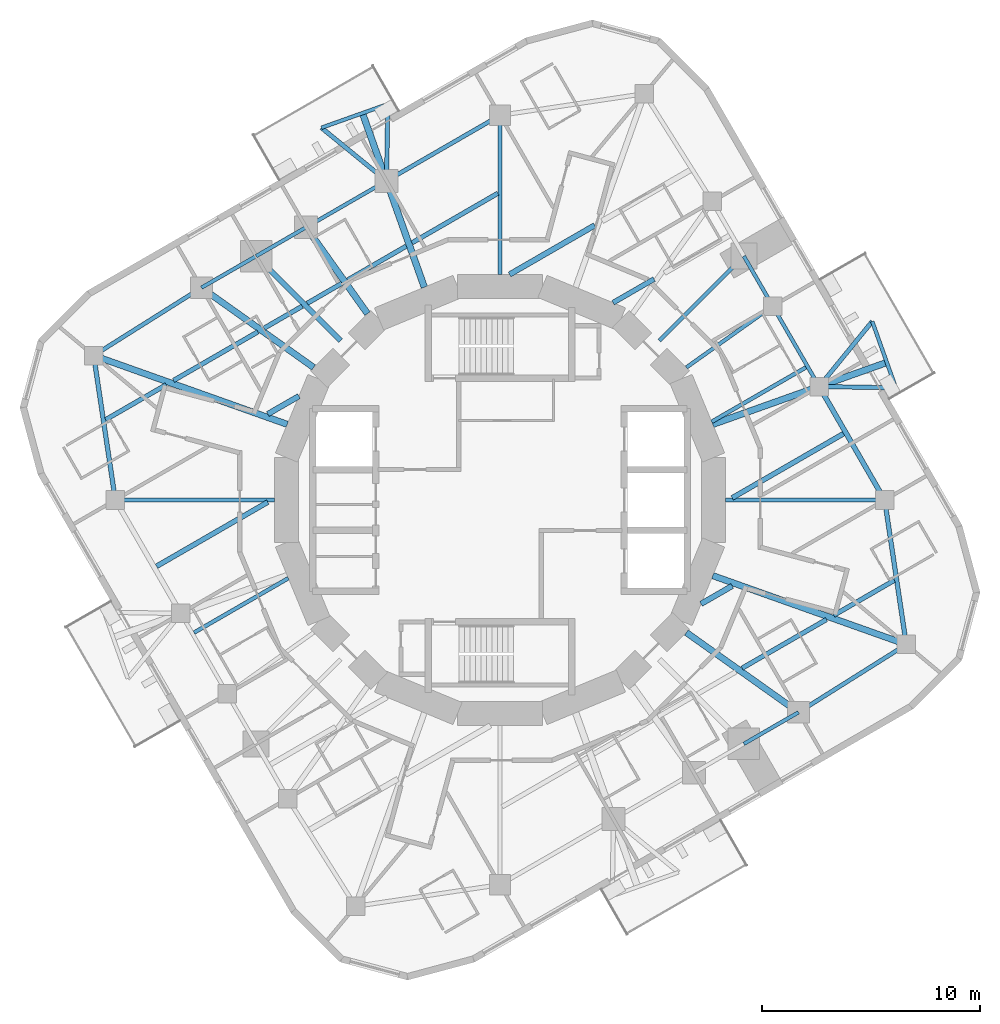
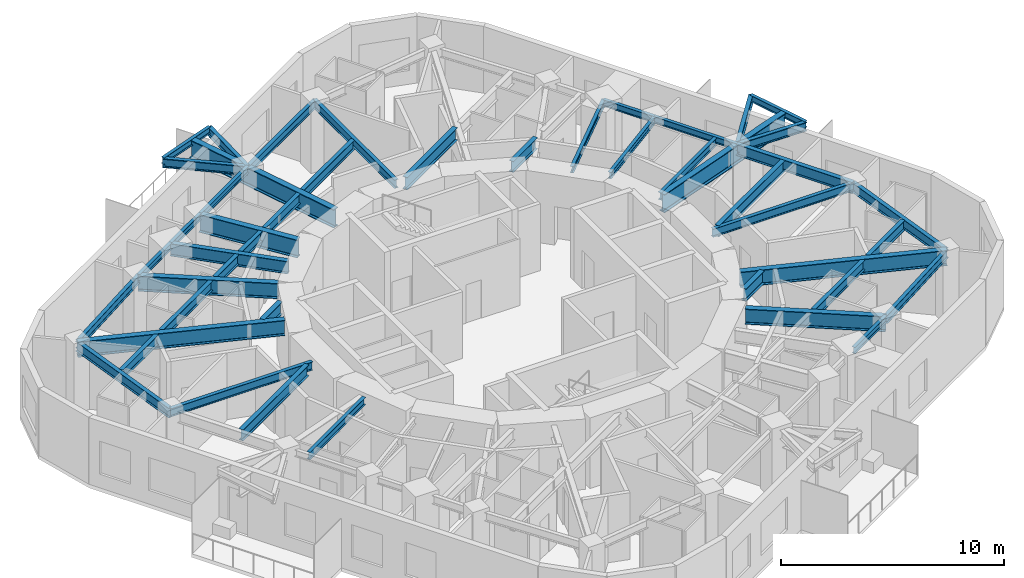
# One storey, part 2 of 11: 47 beams.
"""IFC4 building model written with IfcOpenShell, lengths in metres."""

from ifc_helpers import new_model, si_unit, direction, frame, origin, origin_2d, place, context, subcontext, project, spatial, i_section, extrude, material, material_profile, profile_set, type_object, element, save


model = new_model("IFC4")

# Units and contexts
model_context = context("Model", 3, precision=1e-05, world=origin(), true_north=direction((0.0, 1.0)))
body_context = subcontext(model_context, "Body", "Model", "MODEL_VIEW")
ifc_project = project(units=[si_unit("LENGTHUNIT", "METRE"), si_unit("AREAUNIT", "SQUARE_METRE"), si_unit("VOLUMEUNIT", "CUBIC_METRE"), si_unit("PLANEANGLEUNIT", "RADIAN"), si_unit("MASSUNIT", "GRAM", prefix="KILO")], contexts=[model_context])

# Site, building, storey
site_placement = place(None, origin())
site = spatial("IfcSite", under=ifc_project, at=site_placement, CompositionType="ELEMENT")
building_placement = place(site_placement, origin())
building = spatial("IfcBuilding", under=site, at=building_placement, Name="Nakasero Lantern House", CompositionType="ELEMENT")
storey_placement = place(building_placement, frame((0.0, 0.0, 246.199951171875)))
storey = spatial("IfcBuildingStorey", under=building, at=storey_placement, Name="L60", CompositionType="ELEMENT", Elevation=246.199951171875)

# Beams
ifc_material_1 = material(Name="Steel S355", Category="steel")
ifc_material_profile_1 = material_profile(ifc_material_1, i_section(OverallWidth=0.199462890625, OverallDepth=0.491943359375, WebThickness=0.01806640625, FlangeThickness=0.031982421875, FilletRadius=0.01025390625, at=origin_2d()), Name="UB 457x191x161")
ifc_profile_set_1 = profile_set([ifc_material_profile_1], Name="Steel S355")
beam_type_1 = type_object("IfcBeamType", Name="Balcony splay beam UB 457x191x161", PredefinedType="BEAM", material=ifc_profile_set_1)
beam_1_placement = place(storey_placement, frame((14.657958984375, 5.211669921875, 3.404052734375), z_axis=(0.632127727159, 0.774864205236, 0.0), x_axis=(-0.774864205236, 0.632127727159, 0.0)))
element("IfcBeam", 1, at=beam_1_placement, inside=storey, type_object=beam_type_1, Name="Balcony splay beam L61 B6-C04A", PredefinedType="BEAM", context=body_context, shape_type="SweptSolid", body=[
    extrude(i_section(OverallWidth=0.199462890625, OverallDepth=0.491943359375, WebThickness=0.01806640625, FlangeThickness=0.031982421875, FilletRadius=0.01025390625, at=origin_2d()), origin(), (0.0, 0.0, 1.0), 3.858642578125),
])
beam_2_placement = place(storey_placement, frame((14.657958984375, 5.211669921875, 3.404052734375), z_axis=(0.99985827803, -0.016835196893, 0.0), x_axis=(0.016835196893, 0.99985827803, 0.0)))
element("IfcBeam", 2, at=beam_2_placement, inside=storey, type_object=beam_type_1, Name="Balcony splay beam L61 B6-C04B", PredefinedType="BEAM", context=body_context, shape_type="SweptSolid", body=[
    extrude(i_section(OverallWidth=0.199462890625, OverallDepth=0.491943359375, WebThickness=0.01806640625, FlangeThickness=0.031982421875, FilletRadius=0.01025390625, at=origin_2d()), origin(), (0.0, 0.0, 1.0), 3.52392578125),
])
beam_3_placement = place(storey_placement, frame((-5.211669921875, 14.657958984375, 3.404052734375), z_axis=(-0.774864205236, 0.632127727159, 0.0), x_axis=(-0.632127727159, -0.774864205236, 0.0)))
element("IfcBeam", 3, at=beam_3_placement, inside=storey, type_object=beam_type_1, Name="Balcony splay beam L61 B6-C10A", PredefinedType="BEAM", context=body_context, shape_type="SweptSolid", body=[
    extrude(i_section(OverallWidth=0.199462890625, OverallDepth=0.491943359375, WebThickness=0.01806640625, FlangeThickness=0.031982421875, FilletRadius=0.01025390625, at=origin_2d()), origin(), (0.0, 0.0, 1.0), 3.858642578125),
])
beam_4_placement = place(storey_placement, frame((-5.211669921875, 14.657958984375, 3.404052734375), z_axis=(0.016835196893, 0.99985827803, 0.0), x_axis=(-0.99985827803, 0.016835196893, 0.0)))
element("IfcBeam", 4, at=beam_4_placement, inside=storey, type_object=beam_type_1, Name="Balcony splay beam L61 B6-C10B", PredefinedType="BEAM", context=body_context, shape_type="SweptSolid", body=[
    extrude(i_section(OverallWidth=0.199462890625, OverallDepth=0.491943359375, WebThickness=0.01806640625, FlangeThickness=0.031982421875, FilletRadius=0.01025390625, at=origin_2d()), origin(), (0.0, 0.0, 1.0), 3.52392578125),
])
ifc_material_2 = material(Name="Steel S355", Category="steel")
ifc_material_profile_2 = material_profile(ifc_material_2, i_section(OverallWidth=0.17138671875, OverallDepth=0.35498046875, WebThickness=0.00732421875, FlangeThickness=0.011474609375, FilletRadius=0.01025390625, at=origin_2d()), Name="UB 356x171x51")
ifc_profile_set_2 = profile_set([ifc_material_profile_2], Name="Steel S355")
beam_type_2 = type_object("IfcBeamType", Name="Balcony tie beam UB 356x171x51", PredefinedType="BEAM", material=ifc_profile_set_2)
for number, where, z_axis, x_axis, name in (
    (5, (17.09716796875, 8.20166015625, 3.47265625), (0.335017108852, -0.942212044487, 0.0), (0.942212044487, 0.335017108852, 0.0), "Balcony tie beam L61 B6-C04"),
    (6, (-8.20166015625, 17.09716796875, 3.47265625), (0.942212044487, 0.335017108852, 0.0), (-0.335017108852, 0.942212044487, 0.0), "Balcony tie beam L61 B6-C10"),
):
    element("IfcBeam", number, at=place(storey_placement, frame(where, z_axis=z_axis, x_axis=x_axis)), inside=storey, type_object=beam_type_2, Name=name, PredefinedType="BEAM", context=body_context, shape_type="SweptSolid", body=[
        extrude(i_section(OverallWidth=0.17138671875, OverallDepth=0.35498046875, WebThickness=0.00732421875, FlangeThickness=0.011474609375, FilletRadius=0.01025390625, at=origin_2d()), origin(), (0.0, 0.0, 1.0), 3.236328125),
    ])
ifc_material_3 = material(Name="Steel S355", Category="steel")
ifc_material_profile_3 = material_profile(ifc_material_3, i_section(OverallWidth=0.177978515625, OverallDepth=0.406494140625, WebThickness=0.0078125, FlangeThickness=0.0126953125, FilletRadius=0.01025390625, at=origin_2d()), Name="UB 406x178x60")
ifc_profile_set_3 = profile_set([ifc_material_profile_3], Name="Steel S355")
beam_type_3 = type_object("IfcBeamType", Name="Infill beam UB 406x178x60", PredefinedType="JOIST", material=ifc_profile_set_3)
for number, where, z_axis, x_axis, name in (
    (7, (9.72314453125, 3.5927734375, 3.44677734375), (0.866018808352, 0.500011423449, 0.0), (-0.500011423449, 0.866018808352, 0.0), "Infill beam L61 06.1"),
    (8, (-14.051025390625, -6.091552734375, 3.44677734375), (0.866018808352, 0.500011423449, 0.0), (-0.500011423449, 0.866018808352, 0.0), "Infill beam L61 07.1"),
):
    element("IfcBeam", number, at=place(storey_placement, frame(where, z_axis=z_axis, x_axis=x_axis)), inside=storey, type_object=beam_type_3, Name=name, PredefinedType="JOIST", context=body_context, shape_type="SweptSolid", body=[
        extrude(i_section(OverallWidth=0.177978515625, OverallDepth=0.406494140625, WebThickness=0.0078125, FlangeThickness=0.0126953125, FilletRadius=0.01025390625, at=origin_2d()), origin(), (0.0, 0.0, 1.0), 4.99755859375),
    ])
ifc_material_4 = material(Name="Steel S355", Category="steel")
ifc_material_profile_4 = material_profile(ifc_material_4, i_section(OverallWidth=0.2099609375, OverallDepth=0.53662109375, WebThickness=0.0107421875, FlangeThickness=0.017333984375, FilletRadius=0.0126953125, at=origin_2d()), Name="UB 533x210x101")
ifc_profile_set_4 = profile_set([ifc_material_profile_4], Name="Steel S355")
beam_type_4 = type_object("IfcBeamType", Name="Infill beam UB 533x210x101", PredefinedType="JOIST", material=ifc_profile_set_4)
beam_5_placement = place(storey_placement, frame((11.117431640625, -7.726318359375, 3.381591796875), z_axis=(0.866033989219, 0.499985129296, 0.0), x_axis=(-0.499985129296, 0.866033989219, 0.0)))
element("IfcBeam", 9, at=beam_5_placement, inside=storey, type_object=beam_type_4, Name="Infill beam L61 03.5", PredefinedType="JOIST", context=body_context, shape_type="SweptSolid", body=[
    extrude(i_section(OverallWidth=0.2099609375, OverallDepth=0.53662109375, WebThickness=0.0107421875, FlangeThickness=0.017333984375, FilletRadius=0.0126953125, at=origin_2d()), origin(), (0.0, 0.0, 1.0), 4.478759765625),
])
for number, where, z_axis, x_axis, name in (
    (10, (15.32861328125, -5.294921875, 3.381591796875), (0.866033858845, 0.49998535512, 0.0), (-0.49998535512, 0.866033858845, 0.0), "Infill beam L61 03.6"),
    (11, (-18.11328125, 3.687255859375, 3.381591796875), (0.866033858845, 0.49998535512, 0.0), (-0.49998535512, 0.866033858845, 0.0), "Infill beam L61 10.1"),
):
    element("IfcBeam", number, at=place(storey_placement, frame(where, z_axis=z_axis, x_axis=x_axis)), inside=storey, type_object=beam_type_4, Name=name, PredefinedType="JOIST", context=body_context, shape_type="SweptSolid", body=[
        extrude(i_section(OverallWidth=0.2099609375, OverallDepth=0.53662109375, WebThickness=0.0107421875, FlangeThickness=0.017333984375, FilletRadius=0.0126953125, at=origin_2d()), origin(), (0.0, 0.0, 1.0), 3.21533203125),
    ])
beam_6_placement = place(storey_placement, frame((-14.99609375, 5.487060546875, 3.381591796875), z_axis=(0.866033989219, 0.499985129296, 0.0), x_axis=(-0.499985129296, 0.866033989219, 0.0)))
element("IfcBeam", 12, at=beam_6_placement, inside=storey, type_object=beam_type_4, Name="Infill beam L61 10.2", PredefinedType="JOIST", context=body_context, shape_type="SweptSolid", body=[
    extrude(i_section(OverallWidth=0.2099609375, OverallDepth=0.53662109375, WebThickness=0.0107421875, FlangeThickness=0.017333984375, FilletRadius=0.0126953125, at=origin_2d()), origin(), (0.0, 0.0, 1.0), 4.478759765625),
])
beam_7_placement = place(storey_placement, frame((-10.839111328125, 7.88720703125, 3.381591796875), z_axis=(0.866073420066, 0.499916824138, 0.0), x_axis=(-0.499916824138, 0.866073420066, 0.0)))
element("IfcBeam", 13, at=beam_7_placement, inside=storey, type_object=beam_type_4, Name="Infill beam L61 10.3", PredefinedType="JOIST", context=body_context, shape_type="SweptSolid", body=[
    extrude(i_section(OverallWidth=0.2099609375, OverallDepth=0.53662109375, WebThickness=0.0107421875, FlangeThickness=0.017333984375, FilletRadius=0.0126953125, at=origin_2d()), origin(), (0.0, 0.0, 1.0), 2.029541015625),
])
beam_8_placement = place(storey_placement, frame((-8.85400390625, 9.033203125, 3.381591796875), z_axis=(0.866028611999, 0.499994443168, 0.0), x_axis=(-0.499994443168, 0.866028611999, 0.0)))
element("IfcBeam", 14, at=beam_8_placement, inside=storey, type_object=beam_type_4, Name="Infill beam L61 10.4", PredefinedType="JOIST", context=body_context, shape_type="SweptSolid", body=[
    extrude(i_section(OverallWidth=0.2099609375, OverallDepth=0.53662109375, WebThickness=0.0107421875, FlangeThickness=0.017333984375, FilletRadius=0.0126953125, at=origin_2d()), origin(), (0.0, 0.0, 1.0), 1.8388671875),
])
beam_9_placement = place(storey_placement, frame((-7.00048828125, 10.103271484375, 3.381591796875), z_axis=(0.866018346476, 0.500012223418, 0.0), x_axis=(-0.500012223418, 0.866018346476, 0.0)))
element("IfcBeam", 15, at=beam_9_placement, inside=storey, type_object=beam_type_4, Name="Infill beam L61 10.5", PredefinedType="JOIST", context=body_context, shape_type="SweptSolid", body=[
    extrude(i_section(OverallWidth=0.2099609375, OverallDepth=0.53662109375, WebThickness=0.0107421875, FlangeThickness=0.017333984375, FilletRadius=0.0126953125, at=origin_2d()), origin(), (0.0, 0.0, 1.0), 3.11181640625),
])
beam_10_placement = place(storey_placement, frame((-4.039794921875, 11.812744140625, 3.381591796875), z_axis=(0.866027576455, 0.499996236806, 0.0), x_axis=(-0.499996236806, 0.866027576455, 0.0)))
element("IfcBeam", 16, at=beam_10_placement, inside=storey, type_object=beam_type_4, Name="Infill beam L61 10.6", PredefinedType="JOIST", context=body_context, shape_type="SweptSolid", body=[
    extrude(i_section(OverallWidth=0.2099609375, OverallDepth=0.53662109375, WebThickness=0.0107421875, FlangeThickness=0.017333984375, FilletRadius=0.0126953125, at=origin_2d()), origin(), (0.0, 0.0, 1.0), 4.55419921875),
])
ifc_material_5 = material(Name="Steel S355", Category="steel")
ifc_material_profile_5 = material_profile(ifc_material_5, i_section(OverallWidth=0.22900390625, OverallDepth=0.6123046875, WebThickness=0.011962890625, FlangeThickness=0.01953125, FilletRadius=0.0126953125, at=origin_2d()), Name="UB 610x229x125")
ifc_profile_set_5 = profile_set([ifc_material_profile_5], Name="Steel S355")
beam_type_5 = type_object("IfcBeamType", Name="Infill beam UB 610x229x125", PredefinedType="JOIST", material=ifc_profile_set_5)
for number, where, z_axis, x_axis, name in (
    (17, (10.66455078125, 0.094970703125, 3.343994140625), (0.866025091885, 0.500000540226, 0.0), (-0.500000540226, 0.866025091885, 0.0), "Infill beam L61 05.3"),
    (18, (-15.776123046875, -3.046142578125, 3.343994140625), (0.866025091885, 0.500000540226, 0.0), (-0.500000540226, 0.866025091885, 0.0), "Infill beam L61 08.1"),
):
    element("IfcBeam", number, at=place(storey_placement, frame(where, z_axis=z_axis, x_axis=x_axis)), inside=storey, type_object=beam_type_5, Name=name, PredefinedType="JOIST", context=body_context, shape_type="SweptSolid", body=[
        extrude(i_section(OverallWidth=0.22900390625, OverallDepth=0.6123046875, WebThickness=0.011962890625, FlangeThickness=0.01953125, FilletRadius=0.0126953125, at=origin_2d()), origin(), (0.0, 0.0, 1.0), 5.90234375),
    ])
beam_11_placement = place(storey_placement, frame((5.19287109375, 9.060302734375, 3.343994140625), z_axis=(0.866043427695, 0.499968780372, 0.0), x_axis=(-0.499968780372, 0.866043427695, 0.0)))
element("IfcBeam", 19, at=beam_11_placement, inside=storey, type_object=beam_type_5, Name="Infill beam L61 08.2", PredefinedType="JOIST", context=body_context, shape_type="SweptSolid", body=[
    extrude(i_section(OverallWidth=0.22900390625, OverallDepth=0.6123046875, WebThickness=0.011962890625, FlangeThickness=0.01953125, FilletRadius=0.0126953125, at=origin_2d()), origin(), (0.0, 0.0, 1.0), 2.173583984375),
])
ifc_material_6 = material(Name="Steel S355", Category="steel")
ifc_material_profile_6 = material_profile(ifc_material_6, i_section(OverallWidth=0.253662109375, OverallDepth=0.68359375, WebThickness=0.012451171875, FlangeThickness=0.01904296875, FilletRadius=0.01513671875, at=origin_2d()), Name="UB 686x254x140")
ifc_profile_set_6 = profile_set([ifc_material_profile_6], Name="Steel S355")
beam_type_6 = type_object("IfcBeamType", Name="Infill beam UB 686x254x140", PredefinedType="JOIST", material=ifc_profile_set_6)
for number, where, z_axis, x_axis, name in (
    (20, (9.234619140625, -4.77197265625, 3.308349609375), (0.866050114754, 0.499957196903, 0.0), (-0.499957196903, 0.866050114754, 0.0), "Infill beam L61 04.3"),
    (21, (-10.6640625, 3.94677734375, 3.308349609375), (0.866050114754, 0.499957196903, 0.0), (-0.499957196903, 0.866050114754, 0.0), "Infill beam L61 09.1"),
):
    element("IfcBeam", number, at=place(storey_placement, frame(where, z_axis=z_axis, x_axis=x_axis)), inside=storey, type_object=beam_type_6, Name=name, PredefinedType="JOIST", context=body_context, shape_type="SweptSolid", body=[
        extrude(i_section(OverallWidth=0.253662109375, OverallDepth=0.68359375, WebThickness=0.012451171875, FlangeThickness=0.01904296875, FilletRadius=0.01513671875, at=origin_2d()), origin(), (0.0, 0.0, 1.0), 1.650634765625),
    ])
beam_12_placement = place(storey_placement, frame((0.4404296875, 10.35791015625, 3.308349609375), z_axis=(0.86603787505, 0.499978398512, 0.0), x_axis=(-0.499978398512, 0.86603787505, 0.0)))
element("IfcBeam", 22, at=beam_12_placement, inside=storey, type_object=beam_type_6, Name="Infill beam L61 09.2", PredefinedType="JOIST", context=body_context, shape_type="SweptSolid", body=[
    extrude(i_section(OverallWidth=0.253662109375, OverallDepth=0.68359375, WebThickness=0.012451171875, FlangeThickness=0.01904296875, FilletRadius=0.01513671875, at=origin_2d()), origin(), (0.0, 0.0, 1.0), 4.513916015625),
])
ifc_material_7 = material(Name="Steel S355", Category="steel")
ifc_material_profile_7 = material_profile(ifc_material_7, i_section(OverallWidth=0.300048828125, OverallDepth=0.97998046875, WebThickness=0.0166015625, FlangeThickness=0.02587890625, FilletRadius=0.030029296875, at=origin_2d()), Name="UB 1016x305x249")
ifc_profile_set_7 = profile_set([ifc_material_profile_7], Name="Steel S355")
beam_type_7 = type_object("IfcBeamType", Name="Primary beam UB 1016x305x249, span to 6 m", PredefinedType="BEAM", material=ifc_profile_set_7)
beam_13_placement = place(storey_placement, frame((-8.906494140625, 12.524658203125, 3.159912109375), z_axis=(0.579513415446, -0.814962699342, 0.0), x_axis=(0.814962699342, 0.579513415446, 0.0)))
element("IfcBeam", 23, at=beam_13_placement, inside=storey, type_object=beam_type_7, Name="Primary beam L61 B6-C11", PredefinedType="BEAM", context=body_context, shape_type="SweptSolid", body=[
    extrude(i_section(OverallWidth=0.300048828125, OverallDepth=0.97998046875, WebThickness=0.0166015625, FlangeThickness=0.02587890625, FilletRadius=0.030029296875, at=origin_2d()), origin(), (0.0, 0.0, 1.0), 4.8642578125),
])
ifc_material_8 = material(Name="Steel S355", Category="steel")
ifc_material_profile_8 = material_profile(ifc_material_8, i_section(OverallWidth=0.302001953125, OverallDepth=1.008056640625, WebThickness=0.02099609375, FlangeThickness=0.0400390625, FilletRadius=0.030029296875, at=origin_2d()), Name="UB 1016x305x349")
ifc_profile_set_8 = profile_set([ifc_material_profile_8], Name="Steel S355")
beam_type_8 = type_object("IfcBeamType", Name="Primary beam UB 1016x305x349, span to 6 m", PredefinedType="BEAM", material=ifc_profile_set_8)
for number, where, z_axis, x_axis, name in (
    (24, (17.767333984375, 6.317138671875, 3.14599609375), (-0.94222457875, -0.33498185503, 0.0), (0.33498185503, -0.94222457875, 0.0), "Primary beam L61 B6-C04"),
    (25, (-6.317138671875, 17.767333984375, 3.14599609375), (0.33498185503, -0.94222457875, 0.0), (0.94222457875, 0.33498185503, 0.0), "Primary beam L61 B6-C10"),
):
    element("IfcBeam", number, at=place(storey_placement, frame(where, z_axis=z_axis, x_axis=x_axis)), inside=storey, type_object=beam_type_8, Name=name, PredefinedType="BEAM", context=body_context, shape_type="SweptSolid", body=[
        extrude(i_section(OverallWidth=0.302001953125, OverallDepth=1.008056640625, WebThickness=0.02099609375, FlangeThickness=0.0400390625, FilletRadius=0.030029296875, at=origin_2d()), origin(), (0.0, 0.0, 1.0), 8.485595703125),
    ])
ifc_material_9 = material(Name="Steel S355", Category="steel")
ifc_material_profile_9 = material_profile(ifc_material_9, i_section(OverallWidth=0.17138671875, OverallDepth=0.35498046875, WebThickness=0.00732421875, FlangeThickness=0.011474609375, FilletRadius=0.01025390625, at=origin_2d()), Name="UB 356x171x51")
ifc_profile_set_9 = profile_set([ifc_material_profile_9], Name="Steel S355")
beam_type_9 = type_object("IfcBeamType", Name="Primary beam UB 356x171x51, span to 6 m", PredefinedType="BEAM", material=ifc_profile_set_9)
beam_14_placement = place(storey_placement, frame((12.524658203125, 8.906494140625, 3.47265625), z_axis=(-0.814962699342, -0.579513415446, 0.0), x_axis=(0.579513415446, -0.814962699342, 0.0)))
element("IfcBeam", 26, at=beam_14_placement, inside=storey, type_object=beam_type_9, Name="Primary beam L61 B6-C05", PredefinedType="BEAM", context=body_context, shape_type="SweptSolid", body=[
    extrude(i_section(OverallWidth=0.17138671875, OverallDepth=0.35498046875, WebThickness=0.00732421875, FlangeThickness=0.011474609375, FilletRadius=0.01025390625, at=origin_2d()), origin(), (0.0, 0.0, 1.0), 4.8642578125),
])
beam_15_placement = place(storey_placement, frame((11.200439453125, 11.200439453125, 3.47265625), z_axis=(-0.707106781187, -0.707106781187, 0.0), x_axis=(0.707106781187, -0.707106781187, 0.0)))
element("IfcBeam", 27, at=beam_15_placement, inside=storey, type_object=beam_type_9, Name="Primary beam L61 B6-C06", PredefinedType="BEAM", context=body_context, shape_type="SweptSolid", body=[
    extrude(i_section(OverallWidth=0.17138671875, OverallDepth=0.35498046875, WebThickness=0.00732421875, FlangeThickness=0.011474609375, FilletRadius=0.01025390625, at=origin_2d()), origin(), (0.0, 0.0, 1.0), 5.481689453125),
])
ifc_material_10 = material(Name="Steel S355", Category="steel")
ifc_material_profile_10 = material_profile(ifc_material_10, i_section(OverallWidth=0.18994140625, OverallDepth=0.453369140625, WebThickness=0.008544921875, FlangeThickness=0.0126953125, FilletRadius=0.01025390625, at=origin_2d()), Name="UB 457x191x67")
ifc_profile_set_10 = profile_set([ifc_material_profile_10], Name="Steel S355")
beam_type_10 = type_object("IfcBeamType", Name="Primary beam UB 457x191x67, span 6 to 9 m", PredefinedType="BEAM", material=ifc_profile_set_10)
for number, where, z_axis, x_axis, name in (
    (28, (17.6669921875, 0.0, 3.42333984375), (-1.0, 0.0, 0.0), (0.0, -1.0, 0.0), "Primary beam L61 B6-C03"),
    (29, (-17.6669921875, 0.0, 3.42333984375), (1.0, 0.0, 0.0), (0.0, 1.0, 0.0), "Primary beam L61 B6-C15"),
):
    element("IfcBeam", number, at=place(storey_placement, frame(where, z_axis=z_axis, x_axis=x_axis)), inside=storey, type_object=beam_type_10, Name=name, PredefinedType="BEAM", context=body_context, shape_type="SweptSolid", body=[
        extrude(i_section(OverallWidth=0.18994140625, OverallDepth=0.453369140625, WebThickness=0.008544921875, FlangeThickness=0.0126953125, FilletRadius=0.01025390625, at=origin_2d()), origin(), (0.0, 0.0, 1.0), 7.30908203125),
    ])
ifc_material_11 = material(Name="Steel S355", Category="steel")
ifc_material_profile_11 = material_profile(ifc_material_11, i_section(OverallWidth=0.19140625, OverallDepth=0.4599609375, WebThickness=0.010009765625, FlangeThickness=0.01611328125, FilletRadius=0.01025390625, at=origin_2d()), Name="UB 457x191x82")
ifc_profile_set_11 = profile_set([ifc_material_profile_11], Name="Steel S355")
beam_type_11 = type_object("IfcBeamType", Name="Primary beam UB 457x191x82, span 6 to 9 m", PredefinedType="BEAM", material=ifc_profile_set_11)
beam_16_placement = place(storey_placement, frame((0.0, 17.6669921875, 3.420166015625), z_axis=(0.0, -1.0, 0.0), x_axis=(1.0, 0.0, 0.0)))
element("IfcBeam", 30, at=beam_16_placement, inside=storey, type_object=beam_type_11, Name="Primary beam L61 B6-C09", PredefinedType="BEAM", context=body_context, shape_type="SweptSolid", body=[
    extrude(i_section(OverallWidth=0.19140625, OverallDepth=0.4599609375, WebThickness=0.010009765625, FlangeThickness=0.01611328125, FilletRadius=0.01025390625, at=origin_2d()), origin(), (0.0, 0.0, 1.0), 7.30908203125),
])
ifc_material_12 = material(Name="Steel S355", Category="steel")
ifc_material_profile_12 = material_profile(ifc_material_12, i_section(OverallWidth=0.253662109375, OverallDepth=0.68359375, WebThickness=0.012451171875, FlangeThickness=0.01904296875, FilletRadius=0.01513671875, at=origin_2d()), Name="UB 686x254x140")
ifc_profile_set_12 = profile_set([ifc_material_profile_12], Name="Steel S355")
beam_type_12 = type_object("IfcBeamType", Name="Primary beam UB 686x254x140, span to 6 m", PredefinedType="BEAM", material=ifc_profile_set_12)
beam_17_placement = place(storey_placement, frame((-11.200439453125, 11.200439453125, 3.308349609375), z_axis=(0.707106781187, -0.707106781187, 0.0), x_axis=(0.707106781187, 0.707106781187, 0.0)))
element("IfcBeam", 31, at=beam_17_placement, inside=storey, type_object=beam_type_12, Name="Primary beam L61 B6-C12", PredefinedType="BEAM", context=body_context, shape_type="SweptSolid", body=[
    extrude(i_section(OverallWidth=0.253662109375, OverallDepth=0.68359375, WebThickness=0.012451171875, FlangeThickness=0.01904296875, FilletRadius=0.01513671875, at=origin_2d()), origin(), (0.0, 0.0, 1.0), 5.481689453125),
])
ifc_material_13 = material(Name="Steel S355", Category="steel")
ifc_material_profile_13 = material_profile(ifc_material_13, i_section(OverallWidth=0.29248046875, OverallDepth=0.8408203125, WebThickness=0.0146484375, FlangeThickness=0.02685546875, FilletRadius=0.017822265625, at=origin_2d()), Name="UB 838x292x194")
ifc_profile_set_13 = profile_set([ifc_material_profile_13], Name="Steel S355")
beam_type_13 = type_object("IfcBeamType", Name="Primary beam UB 838x292x194, span 6 to 9 m", PredefinedType="BEAM", material=ifc_profile_set_13)
for number, where, z_axis, x_axis, name in (
    (32, (13.711669921875, -9.75048828125, 3.229736328125), (-0.814968702178, 0.579504973637, 0.0), (-0.579504973637, -0.814968702178, 0.0), "Primary beam L61 B6-C01"),
    (33, (-13.711669921875, 9.75048828125, 3.229736328125), (0.814968702178, -0.579504973637, 0.0), (0.579504973637, 0.814968702178, 0.0), "Primary beam L61 B6-C13"),
):
    element("IfcBeam", number, at=place(storey_placement, frame(where, z_axis=z_axis, x_axis=x_axis)), inside=storey, type_object=beam_type_13, Name=name, PredefinedType="BEAM", context=body_context, shape_type="SweptSolid", body=[
        extrude(i_section(OverallWidth=0.29248046875, OverallDepth=0.8408203125, WebThickness=0.0146484375, FlangeThickness=0.02685546875, FilletRadius=0.017822265625, at=origin_2d()), origin(), (0.0, 0.0, 1.0), 6.320556640625),
    ])
ifc_material_14 = material(Name="Steel S355", Category="steel")
ifc_material_profile_14 = material_profile(ifc_material_14, i_section(OverallWidth=0.29248046875, OverallDepth=0.8408203125, WebThickness=0.0146484375, FlangeThickness=0.02685546875, FilletRadius=0.017822265625, at=origin_2d()), Name="UB 838x292x194")
ifc_profile_set_14 = profile_set([ifc_material_profile_14], Name="Steel S355")
beam_type_14 = type_object("IfcBeamType", Name="Primary beam UB 838x292x194, span 9 to 12 m", PredefinedType="BEAM", material=ifc_profile_set_14)
for number, where, z_axis, x_axis, name in (
    (34, (18.661376953125, -6.63525390625, 3.229736328125), (-0.942215779364, 0.335006604588, 0.0), (-0.335006604588, -0.942215779364, 0.0), "Primary beam L61 B6-C02"),
    (35, (-18.661376953125, 6.63525390625, 3.229736328125), (0.942215779364, -0.335006604588, 0.0), (0.335006604588, 0.942215779364, 0.0), "Primary beam L61 B6-C14"),
):
    element("IfcBeam", number, at=place(storey_placement, frame(where, z_axis=z_axis, x_axis=x_axis)), inside=storey, type_object=beam_type_14, Name=name, PredefinedType="BEAM", context=body_context, shape_type="SweptSolid", body=[
        extrude(i_section(OverallWidth=0.29248046875, OverallDepth=0.8408203125, WebThickness=0.0146484375, FlangeThickness=0.02685546875, FilletRadius=0.017822265625, at=origin_2d()), origin(), (0.0, 0.0, 1.0), 9.4345703125),
    ])
ifc_material_15 = material(Name="Steel S355", Category="steel")
ifc_material_profile_15 = material_profile(ifc_material_15, i_section(OverallWidth=0.17138671875, OverallDepth=0.35498046875, WebThickness=0.00732421875, FlangeThickness=0.011474609375, FilletRadius=0.01025390625, at=origin_2d()), Name="UB 356x171x51")
ifc_profile_set_15 = profile_set([ifc_material_profile_15], Name="Steel S355")
beam_type_15 = type_object("IfcBeamType", Name="Ring beam UB 356x171x51", PredefinedType="BEAM", material=ifc_profile_set_15)
beam_18_placement = place(storey_placement, frame((14.657958984375, 5.211669921875, 3.47265625), z_axis=(-0.500016352561, 0.866015962423, 0.0), x_axis=(-0.866015962423, -0.500016352561, 0.0)))
element("IfcBeam", 36, at=beam_18_placement, inside=storey, type_object=beam_type_15, Name="Ring beam L61 B6-C04", PredefinedType="BEAM", context=body_context, shape_type="SweptSolid", body=[
    extrude(i_section(OverallWidth=0.17138671875, OverallDepth=0.35498046875, WebThickness=0.00732421875, FlangeThickness=0.011474609375, FilletRadius=0.01025390625, at=origin_2d()), origin(), (0.0, 0.0, 1.0), 4.266357421875),
])
beam_19_placement = place(storey_placement, frame((12.524658203125, 8.906494140625, 3.47265625), z_axis=(-0.499945861543, 0.866056658381, 0.0), x_axis=(-0.866056658381, -0.499945861543, 0.0)))
element("IfcBeam", 37, at=beam_19_placement, inside=storey, type_object=beam_type_15, Name="Ring beam L61 B6-C05", PredefinedType="BEAM", context=body_context, shape_type="SweptSolid", body=[
    extrude(i_section(OverallWidth=0.17138671875, OverallDepth=0.35498046875, WebThickness=0.00732421875, FlangeThickness=0.011474609375, FilletRadius=0.01025390625, at=origin_2d()), origin(), (0.0, 0.0, 1.0), 2.648681640625),
])
beam_20_placement = place(storey_placement, frame((-5.211669921875, 14.657958984375, 3.47265625), z_axis=(-0.866015962423, -0.500016352561, 0.0), x_axis=(0.500016352561, -0.866015962423, 0.0)))
element("IfcBeam", 38, at=beam_20_placement, inside=storey, type_object=beam_type_15, Name="Ring beam L61 B6-C10", PredefinedType="BEAM", context=body_context, shape_type="SweptSolid", body=[
    extrude(i_section(OverallWidth=0.17138671875, OverallDepth=0.35498046875, WebThickness=0.00732421875, FlangeThickness=0.011474609375, FilletRadius=0.01025390625, at=origin_2d()), origin(), (0.0, 0.0, 1.0), 4.266357421875),
])
beam_21_placement = place(storey_placement, frame((-8.906494140625, 12.524658203125, 3.47265625), z_axis=(-0.866056658381, -0.499945861543, 0.0), x_axis=(0.499945861543, -0.866056658381, 0.0)))
element("IfcBeam", 39, at=beam_21_placement, inside=storey, type_object=beam_type_15, Name="Ring beam L61 B6-C11", PredefinedType="BEAM", context=body_context, shape_type="SweptSolid", body=[
    extrude(i_section(OverallWidth=0.17138671875, OverallDepth=0.35498046875, WebThickness=0.00732421875, FlangeThickness=0.011474609375, FilletRadius=0.01025390625, at=origin_2d()), origin(), (0.0, 0.0, 1.0), 2.648681640625),
])
for number, where, z_axis, x_axis, name in (
    (40, (-11.200439453125, 11.200439453125, 3.47265625), (-0.866011727401, -0.500023687443, 0.0), (0.500023687443, -0.866011727401, 0.0), "Ring beam L61 B6-C12"),
    (41, (11.200439453125, -11.200439453125, 3.47265625), (0.866011727401, 0.500023687443, 0.0), (-0.500023687443, 0.866011727401, 0.0), "Ring beam L61 B6-C24"),
):
    element("IfcBeam", number, at=place(storey_placement, frame(where, z_axis=z_axis, x_axis=x_axis)), inside=storey, type_object=beam_type_15, Name=name, PredefinedType="BEAM", context=body_context, shape_type="SweptSolid", body=[
        extrude(i_section(OverallWidth=0.17138671875, OverallDepth=0.35498046875, WebThickness=0.00732421875, FlangeThickness=0.011474609375, FilletRadius=0.01025390625, at=origin_2d()), origin(), (0.0, 0.0, 1.0), 2.899658203125),
    ])
ifc_material_16 = material(Name="Steel S355", Category="steel")
ifc_material_profile_16 = material_profile(ifc_material_16, i_section(OverallWidth=0.18994140625, OverallDepth=0.453369140625, WebThickness=0.008544921875, FlangeThickness=0.0126953125, FilletRadius=0.01025390625, at=origin_2d()), Name="UB 457x191x67")
ifc_profile_set_16 = profile_set([ifc_material_profile_16], Name="Steel S355")
beam_type_16 = type_object("IfcBeamType", Name="Ring beam UB 457x191x67", PredefinedType="BEAM", material=ifc_profile_set_16)
beam_22_placement = place(storey_placement, frame((13.711669921875, -9.75048828125, 3.42333984375), z_axis=(0.846329027393, 0.532660471024, 0.0), x_axis=(-0.532660471024, 0.846329027393, 0.0)))
element("IfcBeam", 42, at=beam_22_placement, inside=storey, type_object=beam_type_16, Name="Ring beam L61 B6-C01", PredefinedType="BEAM", context=body_context, shape_type="SweptSolid", body=[
    extrude(i_section(OverallWidth=0.18994140625, OverallDepth=0.453369140625, WebThickness=0.008544921875, FlangeThickness=0.0126953125, FilletRadius=0.01025390625, at=origin_2d()), origin(), (0.0, 0.0, 1.0), 5.848388671875),
])
beam_23_placement = place(storey_placement, frame((0.0, 17.6669921875, 3.42333984375), z_axis=(-0.866020066889, -0.50000924366, 0.0), x_axis=(0.50000924366, -0.866020066889, 0.0)))
element("IfcBeam", 43, at=beam_23_placement, inside=storey, type_object=beam_type_16, Name="Ring beam L61 B6-C09", PredefinedType="BEAM", context=body_context, shape_type="SweptSolid", body=[
    extrude(i_section(OverallWidth=0.18994140625, OverallDepth=0.453369140625, WebThickness=0.008544921875, FlangeThickness=0.0126953125, FilletRadius=0.01025390625, at=origin_2d()), origin(), (0.0, 0.0, 1.0), 6.01806640625),
])
beam_24_placement = place(storey_placement, frame((-13.711669921875, 9.75048828125, 3.42333984375), z_axis=(-0.846329027393, -0.532660471024, 0.0), x_axis=(0.532660471024, -0.846329027393, 0.0)))
element("IfcBeam", 44, at=beam_24_placement, inside=storey, type_object=beam_type_16, Name="Ring beam L61 B6-C13", PredefinedType="BEAM", context=body_context, shape_type="SweptSolid", body=[
    extrude(i_section(OverallWidth=0.18994140625, OverallDepth=0.453369140625, WebThickness=0.008544921875, FlangeThickness=0.0126953125, FilletRadius=0.01025390625, at=origin_2d()), origin(), (0.0, 0.0, 1.0), 5.848388671875),
])
ifc_material_17 = material(Name="Steel S355", Category="steel")
ifc_material_profile_17 = material_profile(ifc_material_17, i_section(OverallWidth=0.2099609375, OverallDepth=0.53662109375, WebThickness=0.0107421875, FlangeThickness=0.017333984375, FilletRadius=0.0126953125, at=origin_2d()), Name="UB 533x210x101")
ifc_profile_set_17 = profile_set([ifc_material_profile_17], Name="Steel S355")
beam_type_17 = type_object("IfcBeamType", Name="Ring beam UB 533x210x101", PredefinedType="BEAM", material=ifc_profile_set_17)
for number, where, z_axis, x_axis, name in (
    (45, (18.661376953125, -6.63525390625, 3.381591796875), (-0.148208778253, 0.988956095107, 0.0), (-0.988956095107, -0.148208778253, 0.0), "Ring beam L61 B6-C02"),
    (46, (-18.661376953125, 6.63525390625, 3.381591796875), (0.148208778253, -0.988956095107, 0.0), (0.988956095107, 0.148208778253, 0.0), "Ring beam L61 B6-C14"),
):
    element("IfcBeam", number, at=place(storey_placement, frame(where, z_axis=z_axis, x_axis=x_axis)), inside=storey, type_object=beam_type_17, Name=name, PredefinedType="BEAM", context=body_context, shape_type="SweptSolid", body=[
        extrude(i_section(OverallWidth=0.2099609375, OverallDepth=0.53662109375, WebThickness=0.0107421875, FlangeThickness=0.017333984375, FilletRadius=0.0126953125, at=origin_2d()), origin(), (0.0, 0.0, 1.0), 6.70947265625),
    ])
ifc_material_18 = material(Name="Steel S355", Category="steel")
ifc_material_profile_18 = material_profile(ifc_material_18, i_section(OverallWidth=0.22900390625, OverallDepth=0.6123046875, WebThickness=0.011962890625, FlangeThickness=0.01953125, FilletRadius=0.0126953125, at=origin_2d()), Name="UB 610x229x125")
ifc_profile_set_18 = profile_set([ifc_material_profile_18], Name="Steel S355")
beam_type_18 = type_object("IfcBeamType", Name="Ring beam UB 610x229x125", PredefinedType="BEAM", material=ifc_profile_set_18)
beam_25_placement = place(storey_placement, frame((17.6669921875, 0.0, 3.343994140625), z_axis=(-0.50000924366, 0.866020066889, 0.0), x_axis=(-0.866020066889, -0.50000924366, 0.0)))
element("IfcBeam", 47, at=beam_25_placement, inside=storey, type_object=beam_type_18, Name="Ring beam L61 B6-C03", PredefinedType="BEAM", context=body_context, shape_type="SweptSolid", body=[
    extrude(i_section(OverallWidth=0.22900390625, OverallDepth=0.6123046875, WebThickness=0.011962890625, FlangeThickness=0.01953125, FilletRadius=0.0126953125, at=origin_2d()), origin(), (0.0, 0.0, 1.0), 6.01806640625),
])

save(model, "model.ifc")
